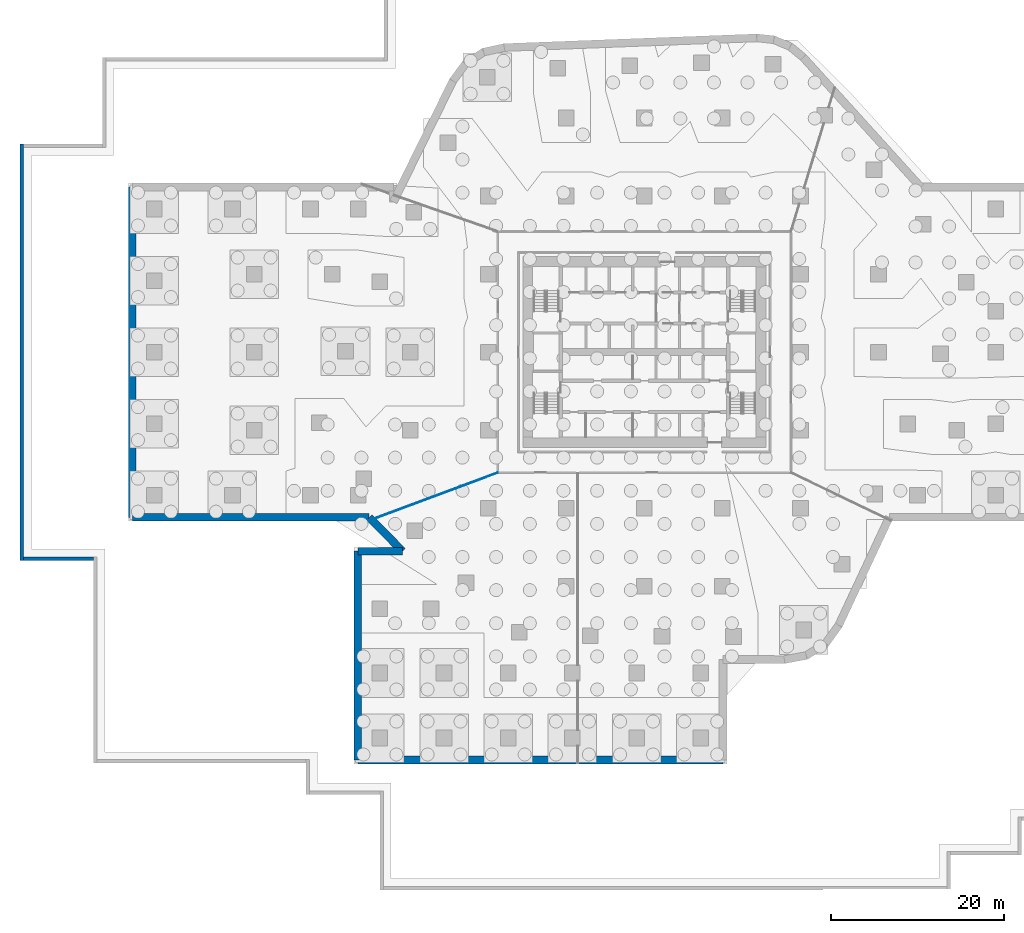
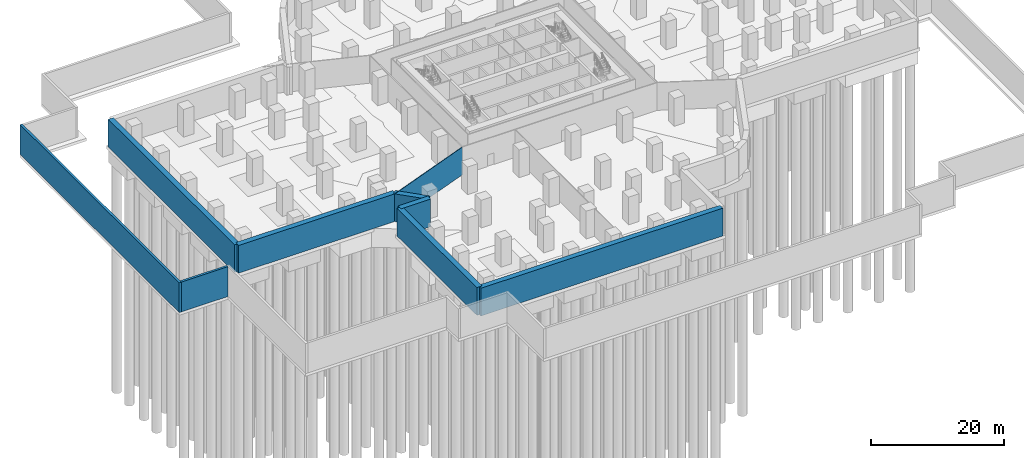
# One storey, part 4 of 12: 9 walls.
"""IFC4 building model written with IfcOpenShell, lengths in metres."""

from ifc_helpers import new_model, si_unit, direction, frame, frame_2d, origin, place, context, subcontext, project, spatial, rectangle, extrude, material, layer, layer_set, type_object, element, save


model = new_model("IFC4")

# Units and contexts
model_context = context("Model", 3, precision=1e-05, world=origin(), true_north=direction((0.0, 1.0)))
body_context = subcontext(model_context, "Body", "Model", "MODEL_VIEW")
ifc_project = project(units=[si_unit("LENGTHUNIT", "METRE"), si_unit("AREAUNIT", "SQUARE_METRE"), si_unit("VOLUMEUNIT", "CUBIC_METRE"), si_unit("PLANEANGLEUNIT", "RADIAN"), si_unit("MASSUNIT", "GRAM", prefix="KILO")], contexts=[model_context])

# Site, building, storey
site_placement = place(None, origin())
site = spatial("IfcSite", under=ifc_project, at=site_placement, CompositionType="ELEMENT")
building_placement = place(site_placement, origin())
building = spatial("IfcBuilding", under=site, at=building_placement, Name="Dongbaek Canopy Tower", CompositionType="ELEMENT")
storey_placement = place(building_placement, frame((0.0, 0.0, -17.0)))
storey = spatial("IfcBuildingStorey", under=building, at=storey_placement, Name="B3", CompositionType="ELEMENT", Elevation=-17.0)

# Walls
ifc_material_1 = material(Name="Gypsum board partition, steel stud, 2 x 12.5 mm board", Category="steel")
ifc_layer_1 = layer(ifc_material_1, 0.10009765625)
ifc_layer_set_1 = layer_set([ifc_layer_1], Name="Partition 100 gypsum board")
wall_type_1 = type_object("IfcWallType", Name="Partition 100 gypsum board", PredefinedType="PARTITIONING", material=ifc_layer_set_1)
wall_1_placement = place(storey_placement, frame((-31.79638671875, -19.454345703125, 0.0), z_axis=(0.0, 0.0, 1.0), x_axis=(0.936976966906, 0.349391132526, 0.0)))
element("IfcWall", 1, at=wall_1_placement, inside=storey, type_object=wall_type_1, Name="Partition", PredefinedType="PARTITIONING", context=body_context, shape_type="SweptSolid", body=[
    extrude(rectangle(XDim=15.898193359375, YDim=0.10009765625, at=frame_2d((7.94921875, 0.0))), origin(), (0.0, 0.0, 1.0), 5.10009765625),
])
ifc_material_2 = material(Name="Concrete C40/50", Category="concrete")
ifc_layer_2 = layer(ifc_material_2, 0.39990234375)
ifc_layer_set_2 = layer_set([ifc_layer_2], Name="Plaza plinth wall 400")
wall_type_2 = type_object("IfcWallType", Name="Plaza plinth wall 400", PredefinedType="SOLIDWALL", material=ifc_layer_set_2)
wall_2_placement = place(storey_placement, frame((-71.60009765625, -23.800048828125, 0.0), z_axis=(0.0, 0.0, 1.0), x_axis=(1.0, 0.0, 0.0)))
element("IfcWall", 2, at=wall_2_placement, inside=storey, type_object=wall_type_2, Name="Plaza plinth wall 64", PredefinedType="SOLIDWALL", context=body_context, shape_type="SweptSolid", body=[
    extrude(rectangle(XDim=8.10009765625, YDim=0.39990234375, at=frame_2d((4.050048828125, 0.0))), origin(), (0.0, 0.0, 1.0), 5.5),
])
wall_3_placement = place(storey_placement, frame((-71.800048828125, -24.0, 0.0), z_axis=(0.0, 0.0, 1.0), x_axis=(0.0, 1.0, 0.0)))
element("IfcWall", 3, at=wall_3_placement, inside=storey, type_object=wall_type_2, Name="Plaza plinth wall 65", PredefinedType="SOLIDWALL", context=body_context, shape_type="SweptSolid", body=[
    extrude(rectangle(XDim=48.0, YDim=0.39990234375, at=frame_2d((24.0, 0.0))), origin(), (0.0, 0.0, 1.0), 5.5),
])
ifc_material_3 = material(Name="Concrete C40", Category="concrete")
ifc_layer_3 = layer(ifc_material_3, 0.89990234375)
ifc_layer_set_3 = layer_set([ifc_layer_3], Name="RC RETAINING WALL 900 Concrete C40")
wall_type_3 = type_object("IfcWallType", Name="RC RETAINING WALL 900 Concrete C40", PredefinedType="SHEAR", material=ifc_layer_set_3)
wall_4_placement = place(storey_placement, frame((-33.050048828125, -47.050048828125, 0.0), z_axis=(0.0, 0.0, 1.0), x_axis=(0.0, 1.0, 0.0)))
element("IfcWall", 4, at=wall_4_placement, inside=storey, type_object=wall_type_3, Name="RWALL:B3:00", PredefinedType="SHEAR", context=body_context, shape_type="SweptSolid", body=[
    extrude(rectangle(XDim=24.10009765625, YDim=0.89990234375, at=frame_2d((12.050048828125, 0.0))), origin(), (0.0, 0.0, 1.0), 5.10009765625),
])
wall_5_placement = place(storey_placement, frame((-33.050048828125, -22.949951171875, 0.0), z_axis=(0.0, 0.0, 1.0), x_axis=(1.0, 0.0, 0.0)))
element("IfcWall", 5, at=wall_5_placement, inside=storey, type_object=wall_type_3, Name="RWALL:B3:01", PredefinedType="SHEAR", context=body_context, shape_type="SweptSolid", body=[
    extrude(rectangle(XDim=5.159912109375, YDim=0.89990234375, at=frame_2d((2.580078125, 0.0))), origin(), (0.0, 0.0, 1.0), 5.10009765625),
])
wall_6_placement = place(storey_placement, frame((-27.89013671875, -22.949951171875, 0.0), z_axis=(0.0, 0.0, 1.0), x_axis=(-0.70171190232, 0.71246081025, 0.0)))
element("IfcWall", 6, at=wall_6_placement, inside=storey, type_object=wall_type_3, Name="RWALL:B3:02", PredefinedType="SHEAR", context=body_context, shape_type="SweptSolid", body=[
    extrude(rectangle(XDim=5.473876953125, YDim=0.89990234375, at=frame_2d((2.73681640625, 0.0))), origin(), (0.0, 0.0, 1.0), 5.10009765625),
])
wall_7_placement = place(storey_placement, frame((-31.731201171875, -19.050048828125, 0.0), z_axis=(0.0, 0.0, 1.0), x_axis=(-1.0, 0.0, 0.0)))
element("IfcWall", 7, at=wall_7_placement, inside=storey, type_object=wall_type_3, Name="RWALL:B3:03", PredefinedType="SHEAR", context=body_context, shape_type="SweptSolid", body=[
    extrude(rectangle(XDim=27.31884765625, YDim=0.89990234375, at=frame_2d((13.659423828125, 0.0))), origin(), (0.0, 0.0, 1.0), 5.10009765625),
])
wall_8_placement = place(storey_placement, frame((-59.050048828125, -19.050048828125, 0.0), z_axis=(0.0, 0.0, 1.0), x_axis=(0.0, 1.0, 0.0)))
element("IfcWall", 8, at=wall_8_placement, inside=storey, type_object=wall_type_3, Name="RWALL:B3:04", PredefinedType="SHEAR", context=body_context, shape_type="SweptSolid", body=[
    extrude(rectangle(XDim=38.10009765625, YDim=0.89990234375, at=frame_2d((19.050048828125, 0.0))), origin(), (0.0, 0.0, 1.0), 5.10009765625),
])
wall_9_placement = place(storey_placement, frame((9.050048828125, -47.050048828125, 0.0), z_axis=(0.0, 0.0, 1.0), x_axis=(-1.0, 0.0, 0.0)))
element("IfcWall", 9, at=wall_9_placement, inside=storey, type_object=wall_type_3, Name="RWALL:B3:25", PredefinedType="SHEAR", context=body_context, shape_type="SweptSolid", body=[
    extrude(rectangle(XDim=42.10009765625, YDim=0.89990234375, at=frame_2d((21.050048828125, 0.0))), origin(), (0.0, 0.0, 1.0), 5.10009765625),
])

save(model, "model.ifc")
